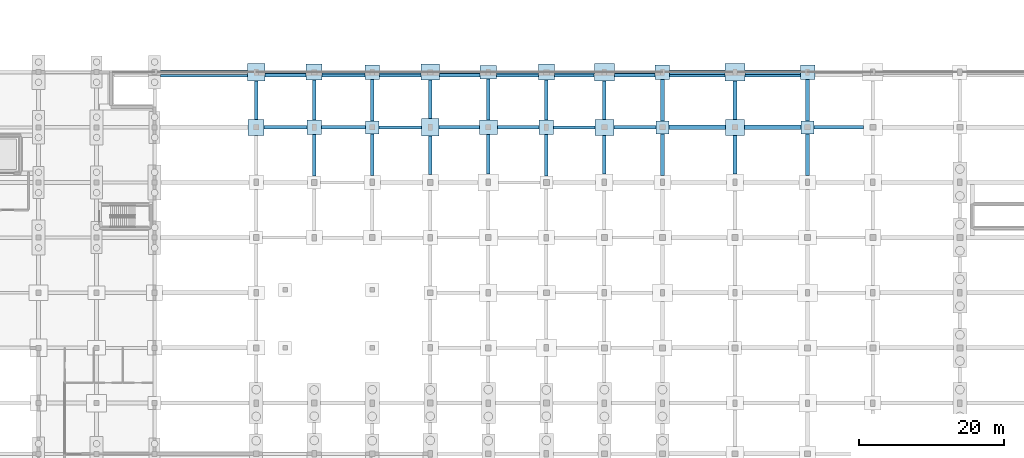
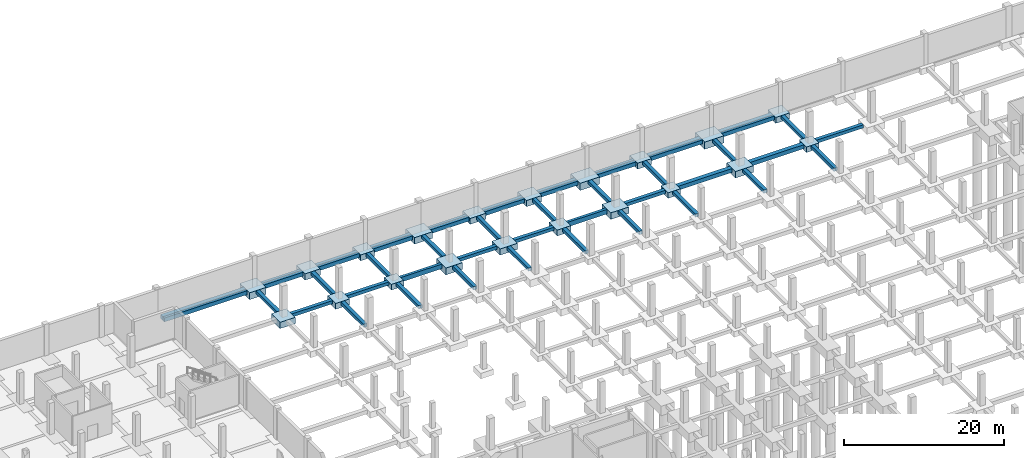
# One storey, part 26 of 50: 69 footings.
"""IFC4 building model written with IfcOpenShell, lengths in metres."""

from ifc_helpers import new_model, si_unit, direction, frame, origin, origin_2d, place, context, subcontext, project, spatial, polyline, rectangle, outline, extrude, material, material_profile, profile_set, type_object, element, save


model = new_model("IFC4")

# Units and contexts
model_context = context("Model", 3, precision=1e-05, world=origin(), true_north=direction((0.0, 1.0)))
body_context = subcontext(model_context, "Body", "Model", "MODEL_VIEW")
ifc_project = project(units=[si_unit("LENGTHUNIT", "METRE"), si_unit("AREAUNIT", "SQUARE_METRE"), si_unit("VOLUMEUNIT", "CUBIC_METRE"), si_unit("PLANEANGLEUNIT", "RADIAN"), si_unit("MASSUNIT", "GRAM", prefix="KILO")], contexts=[model_context])

# Site, building, storey
site_placement = place(None, origin())
site = spatial("IfcSite", under=ifc_project, at=site_placement, CompositionType="ELEMENT")
building_placement = place(site_placement, origin())
building = spatial("IfcBuilding", under=site, at=building_placement, Name="Vekula Escarpment Museum", CompositionType="ELEMENT")
storey_placement = place(building_placement, frame((0.0, 0.0, -4.800048828125)))
storey = spatial("IfcBuildingStorey", under=building, at=storey_placement, Name="B1", CompositionType="ELEMENT", Elevation=-4.800048828125)

# Footings
ifc_material_1 = material(Name="Concrete C35/45", Category="concrete")
footing_type_1 = type_object("IfcFootingType", Name="FB-STRIP-600", PredefinedType="STRIP_FOOTING", material=ifc_material_1)
footing_1_placement = place(storey_placement, frame((0.0, 0.0, -0.599853515625)))
element("IfcFooting", 1, at=footing_1_placement, inside=storey, type_object=footing_type_1, Name="Plinth Wall Strip Footing 0108", PredefinedType="STRIP_FOOTING", context=body_context, shape_type="SweptSolid", body=[
    extrude(outline(polyline([(137.404052734375, 135.35498046875), (137.404052734375, 135.696044921875), (144.99609375, 135.696044921875), (144.99609375, 135.35498046875), (137.404052734375, 135.35498046875)])), origin(), (0.0, 0.0, 1.0), 0.599853515625),
])
footing_2_placement = place(storey_placement, frame((0.0, 0.0, -0.599853515625)))
element("IfcFooting", 2, at=footing_2_placement, inside=storey, type_object=footing_type_1, Name="Plinth Wall Strip Footing 0109", PredefinedType="STRIP_FOOTING", context=body_context, shape_type="SweptSolid", body=[
    extrude(outline(polyline([(127.00390625, 135.35498046875), (127.00390625, 135.696044921875), (134.595947265625, 135.696044921875), (134.595947265625, 135.35498046875), (127.00390625, 135.35498046875)])), origin(), (0.0, 0.0, 1.0), 0.599853515625),
])
footing_3_placement = place(storey_placement, frame((0.0, 0.0, -0.599853515625)))
element("IfcFooting", 3, at=footing_3_placement, inside=storey, type_object=footing_type_1, Name="Plinth Wall Strip Footing 0110", PredefinedType="STRIP_FOOTING", context=body_context, shape_type="SweptSolid", body=[
    extrude(outline(polyline([(119.404052734375, 135.35498046875), (119.404052734375, 135.7958984375), (124.99609375, 135.7958984375), (124.99609375, 135.35498046875), (119.404052734375, 135.35498046875)])), origin(), (0.0, 0.0, 1.0), 0.599853515625),
])
footing_4_placement = place(storey_placement, frame((0.0, 0.0, -0.599853515625)))
element("IfcFooting", 4, at=footing_4_placement, inside=storey, type_object=footing_type_1, Name="Plinth Wall Strip Footing 0111", PredefinedType="STRIP_FOOTING", context=body_context, shape_type="SweptSolid", body=[
    extrude(outline(polyline([(111.10400390625, 135.35498046875), (111.10400390625, 135.74609375), (116.595947265625, 135.74609375), (116.595947265625, 135.35498046875), (111.10400390625, 135.35498046875)])), origin(), (0.0, 0.0, 1.0), 0.599853515625),
])
footing_5_placement = place(storey_placement, frame((0.0, 0.0, -0.599853515625)))
element("IfcFooting", 5, at=footing_5_placement, inside=storey, type_object=footing_type_1, Name="Plinth Wall Strip Footing 0112", PredefinedType="STRIP_FOOTING", context=body_context, shape_type="SweptSolid", body=[
    extrude(outline(polyline([(103.154052734375, 135.35498046875), (103.154052734375, 135.74609375), (108.89599609375, 135.74609375), (108.89599609375, 135.35498046875), (103.154052734375, 135.35498046875)])), origin(), (0.0, 0.0, 1.0), 0.599853515625),
])
footing_6_placement = place(storey_placement, frame((0.0, 0.0, -0.599853515625)))
element("IfcFooting", 6, at=footing_6_placement, inside=storey, type_object=footing_type_1, Name="Plinth Wall Strip Footing 0113", PredefinedType="STRIP_FOOTING", context=body_context, shape_type="SweptSolid", body=[
    extrude(outline(polyline([(95.303955078125, 135.35498046875), (95.303955078125, 135.7958984375), (100.845947265625, 135.7958984375), (100.845947265625, 135.35498046875), (95.303955078125, 135.35498046875)])), origin(), (0.0, 0.0, 1.0), 0.599853515625),
])
footing_7_placement = place(storey_placement, frame((0.0, 0.0, -0.599853515625)))
element("IfcFooting", 7, at=footing_7_placement, inside=storey, type_object=footing_type_1, Name="Plinth Wall Strip Footing 0114", PredefinedType="STRIP_FOOTING", context=body_context, shape_type="SweptSolid", body=[
    extrude(outline(polyline([(87.00390625, 135.35498046875), (87.00390625, 135.74609375), (92.696044921875, 135.74609375), (92.696044921875, 135.35498046875), (87.00390625, 135.35498046875)])), origin(), (0.0, 0.0, 1.0), 0.599853515625),
])
footing_8_placement = place(storey_placement, frame((0.0, 0.0, -0.599853515625)))
element("IfcFooting", 8, at=footing_8_placement, inside=storey, type_object=footing_type_1, Name="Plinth Wall Strip Footing 0115", PredefinedType="STRIP_FOOTING", context=body_context, shape_type="SweptSolid", body=[
    extrude(outline(polyline([(79.10400390625, 135.35498046875), (79.10400390625, 135.74609375), (84.99609375, 135.74609375), (84.99609375, 135.35498046875), (79.10400390625, 135.35498046875)])), origin(), (0.0, 0.0, 1.0), 0.599853515625),
])
footing_9_placement = place(storey_placement, frame((0.0, 0.0, -0.599853515625)))
element("IfcFooting", 9, at=footing_9_placement, inside=storey, type_object=footing_type_1, Name="Plinth Wall Strip Footing 0116", PredefinedType="STRIP_FOOTING", context=body_context, shape_type="SweptSolid", body=[
    extrude(outline(polyline([(71.2041015625, 135.35498046875), (71.2041015625, 135.7958984375), (76.89599609375, 135.7958984375), (76.89599609375, 135.35498046875), (71.2041015625, 135.35498046875)])), origin(), (0.0, 0.0, 1.0), 0.599853515625),
])
footing_10_placement = place(storey_placement, frame((0.0, 0.0, -0.599853515625)))
element("IfcFooting", 10, at=footing_10_placement, inside=storey, type_object=footing_type_1, Name="Plinth Wall Strip Footing 0117", PredefinedType="STRIP_FOOTING", context=body_context, shape_type="SweptSolid", body=[
    extrude(outline(polyline([(56.8291015625, 135.35498046875), (56.8291015625, 135.696044921875), (68.7958984375, 135.696044921875), (68.7958984375, 135.35498046875), (56.8291015625, 135.35498046875)])), origin(), (0.0, 0.0, 1.0), 0.599853515625),
])
ifc_material_2 = material(Name="Concrete C35/45", Category="concrete")
ifc_material_profile_1 = material_profile(ifc_material_2, rectangle(XDim=0.39990234375, YDim=0.699951171875, at=origin_2d()), Name="RC 400x700")
ifc_profile_set_1 = profile_set([ifc_material_profile_1], Name="Concrete C35/45")
footing_type_2 = type_object("IfcFootingType", Name="FB-TIE-400x700", PredefinedType="FOOTING_BEAM", material=ifc_profile_set_1)
footing_11_placement = place(storey_placement, frame((86.89990234375, 128.39990234375, -0.349853515625), z_axis=(1.0, 0.0, 0.0), x_axis=(0.0, 1.0, 0.0)))
element("IfcFooting", 11, at=footing_11_placement, inside=storey, type_object=footing_type_2, Name="Foundation Tie Beam 369", PredefinedType="FOOTING_BEAM", context=body_context, shape_type="SweptSolid", body=[
    extrude(rectangle(XDim=0.39990234375, YDim=0.699951171875, at=origin_2d()), origin(), (0.0, 0.0, 1.0), 5.900146484375),
])
for number, where, z_axis, x_axis, name in (
    (12, (111.0, 128.39990234375, -0.349853515625), (1.0, 0.0, 0.0), (0.0, 1.0, 0.0), "Foundation Tie Beam 372"),
    (13, (71.199951171875, 136.0, -0.349853515625), (1.0, 0.0, 0.0), (0.0, 1.0, 0.0), "Foundation Tie Beam 390"),
):
    element("IfcFooting", number, at=place(storey_placement, frame(where, z_axis=z_axis, x_axis=x_axis)), inside=storey, type_object=footing_type_2, Name=name, PredefinedType="FOOTING_BEAM", context=body_context, shape_type="SweptSolid", body=[
        extrude(rectangle(XDim=0.39990234375, YDim=0.699951171875, at=origin_2d()), origin(), (0.0, 0.0, 1.0), 5.699951171875),
    ])
footing_12_placement = place(storey_placement, frame((95.300048828125, 136.0, -0.349853515625), z_axis=(1.0, 0.0, 0.0), x_axis=(0.0, 1.0, 0.0)))
element("IfcFooting", 14, at=footing_12_placement, inside=storey, type_object=footing_type_2, Name="Foundation Tie Beam 393", PredefinedType="FOOTING_BEAM", context=body_context, shape_type="SweptSolid", body=[
    extrude(rectangle(XDim=0.39990234375, YDim=0.699951171875, at=origin_2d()), origin(), (0.0, 0.0, 1.0), 5.550048828125),
])
footing_13_placement = place(storey_placement, frame((119.39990234375, 136.0, -0.349853515625), z_axis=(1.0, 0.0, 0.0), x_axis=(0.0, 1.0, 0.0)))
element("IfcFooting", 15, at=footing_13_placement, inside=storey, type_object=footing_type_2, Name="Foundation Tie Beam 396", PredefinedType="FOOTING_BEAM", context=body_context, shape_type="SweptSolid", body=[
    extrude(rectangle(XDim=0.39990234375, YDim=0.699951171875, at=origin_2d()), origin(), (0.0, 0.0, 1.0), 5.60009765625),
])
ifc_material_3 = material(Name="Concrete C35/45", Category="concrete")
ifc_material_profile_2 = material_profile(ifc_material_3, rectangle(XDim=0.5, YDim=0.5, at=origin_2d()), Name="RC 500x500")
ifc_profile_set_2 = profile_set([ifc_material_profile_2], Name="Concrete C35/45")
footing_type_3 = type_object("IfcFootingType", Name="FB-TIE-500x500", PredefinedType="FOOTING_BEAM", material=ifc_profile_set_2)
footing_14_placement = place(storey_placement, frame((71.10009765625, 128.39990234375, -0.25), z_axis=(1.0, 0.0, 0.0), x_axis=(0.0, 1.0, 0.0)))
element("IfcFooting", 16, at=footing_14_placement, inside=storey, type_object=footing_type_3, Name="Foundation Tie Beam 367", PredefinedType="FOOTING_BEAM", context=body_context, shape_type="SweptSolid", body=[
    extrude(rectangle(XDim=0.5, YDim=0.5, at=origin_2d()), origin(), (0.0, 0.0, 1.0), 5.89990234375),
])
footing_15_placement = place(storey_placement, frame((79.0, 128.39990234375, -0.25), z_axis=(1.0, 0.0, 0.0), x_axis=(0.0, 1.0, 0.0)))
element("IfcFooting", 17, at=footing_15_placement, inside=storey, type_object=footing_type_3, Name="Foundation Tie Beam 368", PredefinedType="FOOTING_BEAM", context=body_context, shape_type="SweptSolid", body=[
    extrude(rectangle(XDim=0.5, YDim=0.5, at=origin_2d()), origin(), (0.0, 0.0, 1.0), 6.10009765625),
])
footing_16_placement = place(storey_placement, frame((95.199951171875, 128.39990234375, -0.25), z_axis=(1.0, 0.0, 0.0), x_axis=(0.0, 1.0, 0.0)))
element("IfcFooting", 18, at=footing_16_placement, inside=storey, type_object=footing_type_3, Name="Foundation Tie Beam 370", PredefinedType="FOOTING_BEAM", context=body_context, shape_type="SweptSolid", body=[
    extrude(rectangle(XDim=0.5, YDim=0.5, at=origin_2d()), origin(), (0.0, 0.0, 1.0), 5.550048828125),
])
footing_17_placement = place(storey_placement, frame((103.25, 128.39990234375, -0.25), z_axis=(1.0, 0.0, 0.0), x_axis=(0.0, 1.0, 0.0)))
element("IfcFooting", 19, at=footing_17_placement, inside=storey, type_object=footing_type_3, Name="Foundation Tie Beam 371", PredefinedType="FOOTING_BEAM", context=body_context, shape_type="SweptSolid", body=[
    extrude(rectangle(XDim=0.5, YDim=0.5, at=origin_2d()), origin(), (0.0, 0.0, 1.0), 5.75),
])
footing_18_placement = place(storey_placement, frame((119.300048828125, 128.39990234375, -0.25), z_axis=(1.0, 0.0, 0.0), x_axis=(0.0, 1.0, 0.0)))
element("IfcFooting", 20, at=footing_18_placement, inside=storey, type_object=footing_type_3, Name="Foundation Tie Beam 373", PredefinedType="FOOTING_BEAM", context=body_context, shape_type="SweptSolid", body=[
    extrude(rectangle(XDim=0.5, YDim=0.5, at=origin_2d()), origin(), (0.0, 0.0, 1.0), 5.800048828125),
])
footing_19_placement = place(storey_placement, frame((146.89990234375, 128.39990234375, -0.25), z_axis=(1.0, 0.0, 0.0), x_axis=(0.0, 1.0, 0.0)))
element("IfcFooting", 21, at=footing_19_placement, inside=storey, type_object=footing_type_3, Name="Foundation Tie Beam 376", PredefinedType="FOOTING_BEAM", context=body_context, shape_type="SweptSolid", body=[
    extrude(rectangle(XDim=0.5, YDim=0.5, at=origin_2d()), origin(), (0.0, 0.0, 1.0), 6.800048828125),
])
footing_20_placement = place(storey_placement, frame((79.10009765625, 136.0, -0.25), z_axis=(1.0, 0.0, 0.0), x_axis=(0.0, 1.0, 0.0)))
element("IfcFooting", 22, at=footing_20_placement, inside=storey, type_object=footing_type_3, Name="Foundation Tie Beam 391", PredefinedType="FOOTING_BEAM", context=body_context, shape_type="SweptSolid", body=[
    extrude(rectangle(XDim=0.5, YDim=0.5, at=origin_2d()), origin(), (0.0, 0.0, 1.0), 5.89990234375),
])
footing_21_placement = place(storey_placement, frame((87.0, 136.0, -0.25), z_axis=(1.0, 0.0, 0.0), x_axis=(0.0, 1.0, 0.0)))
element("IfcFooting", 23, at=footing_21_placement, inside=storey, type_object=footing_type_3, Name="Foundation Tie Beam 392", PredefinedType="FOOTING_BEAM", context=body_context, shape_type="SweptSolid", body=[
    extrude(rectangle(XDim=0.5, YDim=0.5, at=origin_2d()), origin(), (0.0, 0.0, 1.0), 5.699951171875),
])
footing_22_placement = place(storey_placement, frame((103.14990234375, 136.0, -0.25), z_axis=(1.0, 0.0, 0.0), x_axis=(0.0, 1.0, 0.0)))
element("IfcFooting", 24, at=footing_22_placement, inside=storey, type_object=footing_type_3, Name="Foundation Tie Beam 394", PredefinedType="FOOTING_BEAM", context=body_context, shape_type="SweptSolid", body=[
    extrude(rectangle(XDim=0.5, YDim=0.5, at=origin_2d()), origin(), (0.0, 0.0, 1.0), 5.75),
])
footing_23_placement = place(storey_placement, frame((111.10009765625, 136.0, -0.25), z_axis=(1.0, 0.0, 0.0), x_axis=(0.0, 1.0, 0.0)))
element("IfcFooting", 25, at=footing_23_placement, inside=storey, type_object=footing_type_3, Name="Foundation Tie Beam 395", PredefinedType="FOOTING_BEAM", context=body_context, shape_type="SweptSolid", body=[
    extrude(rectangle(XDim=0.5, YDim=0.5, at=origin_2d()), origin(), (0.0, 0.0, 1.0), 5.5),
])
footing_24_placement = place(storey_placement, frame((70.0, 129.5, -0.25), z_axis=(0.0, 1.0, 0.0), x_axis=(-1.0, 0.0, 0.0)))
element("IfcFooting", 26, at=footing_24_placement, inside=storey, type_object=footing_type_3, Name="Foundation Tie Beam 567", PredefinedType="FOOTING_BEAM", context=body_context, shape_type="SweptSolid", body=[
    extrude(rectangle(XDim=0.5, YDim=0.5, at=origin_2d()), origin(), (0.0, 0.0, 1.0), 5.300048828125),
])
footing_25_placement = place(storey_placement, frame((78.0, 121.699951171875, -0.25), z_axis=(0.0, 1.0, 0.0), x_axis=(-1.0, 0.0, 0.0)))
element("IfcFooting", 27, at=footing_25_placement, inside=storey, type_object=footing_type_3, Name="Foundation Tie Beam 578", PredefinedType="FOOTING_BEAM", context=body_context, shape_type="SweptSolid", body=[
    extrude(rectangle(XDim=0.5, YDim=0.5, at=origin_2d()), origin(), (0.0, 0.0, 1.0), 5.699951171875),
])
footing_26_placement = place(storey_placement, frame((78.0, 129.39990234375, -0.25), z_axis=(0.0, 1.0, 0.0), x_axis=(-1.0, 0.0, 0.0)))
element("IfcFooting", 28, at=footing_26_placement, inside=storey, type_object=footing_type_3, Name="Foundation Tie Beam 579", PredefinedType="FOOTING_BEAM", context=body_context, shape_type="SweptSolid", body=[
    extrude(rectangle(XDim=0.5, YDim=0.5, at=origin_2d()), origin(), (0.0, 0.0, 1.0), 5.5),
])
footing_27_placement = place(storey_placement, frame((86.0, 121.75, -0.25), z_axis=(0.0, 1.0, 0.0), x_axis=(-1.0, 0.0, 0.0)))
element("IfcFooting", 29, at=footing_27_placement, inside=storey, type_object=footing_type_3, Name="Foundation Tie Beam 590", PredefinedType="FOOTING_BEAM", context=body_context, shape_type="SweptSolid", body=[
    extrude(rectangle(XDim=0.5, YDim=0.5, at=origin_2d()), origin(), (0.0, 0.0, 1.0), 5.75),
])
footing_28_placement = place(storey_placement, frame((86.0, 129.300048828125, -0.25), z_axis=(0.0, 1.0, 0.0), x_axis=(-1.0, 0.0, 0.0)))
element("IfcFooting", 30, at=footing_28_placement, inside=storey, type_object=footing_type_3, Name="Foundation Tie Beam 591", PredefinedType="FOOTING_BEAM", context=body_context, shape_type="SweptSolid", body=[
    extrude(rectangle(XDim=0.5, YDim=0.5, at=origin_2d()), origin(), (0.0, 0.0, 1.0), 5.699951171875),
])
footing_29_placement = place(storey_placement, frame((94.0, 121.89990234375, -0.25), z_axis=(0.0, 1.0, 0.0), x_axis=(-1.0, 0.0, 0.0)))
element("IfcFooting", 31, at=footing_29_placement, inside=storey, type_object=footing_type_3, Name="Foundation Tie Beam 608", PredefinedType="FOOTING_BEAM", context=body_context, shape_type="SweptSolid", body=[
    extrude(rectangle(XDim=0.5, YDim=0.5, at=origin_2d()), origin(), (0.0, 0.0, 1.0), 5.300048828125),
])
footing_30_placement = place(storey_placement, frame((94.0, 129.60009765625, -0.25), z_axis=(0.0, 1.0, 0.0), x_axis=(-1.0, 0.0, 0.0)))
element("IfcFooting", 32, at=footing_30_placement, inside=storey, type_object=footing_type_3, Name="Foundation Tie Beam 609", PredefinedType="FOOTING_BEAM", context=body_context, shape_type="SweptSolid", body=[
    extrude(rectangle(XDim=0.5, YDim=0.5, at=origin_2d()), origin(), (0.0, 0.0, 1.0), 5.2998046875),
])
footing_31_placement = place(storey_placement, frame((102.0, 122.0, -0.25), z_axis=(0.0, 1.0, 0.0), x_axis=(-1.0, 0.0, 0.0)))
element("IfcFooting", 33, at=footing_31_placement, inside=storey, type_object=footing_type_3, Name="Foundation Tie Beam 626", PredefinedType="FOOTING_BEAM", context=body_context, shape_type="SweptSolid", body=[
    extrude(rectangle(XDim=0.5, YDim=0.5, at=origin_2d()), origin(), (0.0, 0.0, 1.0), 5.39990234375),
])
footing_32_placement = place(storey_placement, frame((102.0, 129.39990234375, -0.25), z_axis=(0.0, 1.0, 0.0), x_axis=(-1.0, 0.0, 0.0)))
element("IfcFooting", 34, at=footing_32_placement, inside=storey, type_object=footing_type_3, Name="Foundation Tie Beam 627", PredefinedType="FOOTING_BEAM", context=body_context, shape_type="SweptSolid", body=[
    extrude(rectangle(XDim=0.5, YDim=0.5, at=origin_2d()), origin(), (0.0, 0.0, 1.0), 5.650146484375),
])
footing_33_placement = place(storey_placement, frame((110.0, 121.699951171875, -0.25), z_axis=(0.0, 1.0, 0.0), x_axis=(-1.0, 0.0, 0.0)))
element("IfcFooting", 35, at=footing_33_placement, inside=storey, type_object=footing_type_3, Name="Foundation Tie Beam 644", PredefinedType="FOOTING_BEAM", context=body_context, shape_type="SweptSolid", body=[
    extrude(rectangle(XDim=0.5, YDim=0.5, at=origin_2d()), origin(), (0.0, 0.0, 1.0), 5.699951171875),
])
footing_34_placement = place(storey_placement, frame((110.0, 129.39990234375, -0.25), z_axis=(0.0, 1.0, 0.0), x_axis=(-1.0, 0.0, 0.0)))
element("IfcFooting", 36, at=footing_34_placement, inside=storey, type_object=footing_type_3, Name="Foundation Tie Beam 645", PredefinedType="FOOTING_BEAM", context=body_context, shape_type="SweptSolid", body=[
    extrude(rectangle(XDim=0.5, YDim=0.5, at=origin_2d()), origin(), (0.0, 0.0, 1.0), 5.5),
])
for number, where, z_axis, x_axis, name in (
    (37, (118.0, 122.0, -0.25), (0.0, 1.0, 0.0), (-1.0, 0.0, 0.0), "Foundation Tie Beam 662"),
    (38, (118.0, 129.5, -0.25), (0.0, 1.0, 0.0), (-1.0, 0.0, 0.0), "Foundation Tie Beam 663"),
):
    element("IfcFooting", number, at=place(storey_placement, frame(where, z_axis=z_axis, x_axis=x_axis)), inside=storey, type_object=footing_type_3, Name=name, PredefinedType="FOOTING_BEAM", context=body_context, shape_type="SweptSolid", body=[
        extrude(rectangle(XDim=0.5, YDim=0.5, at=origin_2d()), origin(), (0.0, 0.0, 1.0), 5.300048828125),
    ])
footing_35_placement = place(storey_placement, frame((126.0, 121.75, -0.25), z_axis=(0.0, 1.0, 0.0), x_axis=(-1.0, 0.0, 0.0)))
element("IfcFooting", 39, at=footing_35_placement, inside=storey, type_object=footing_type_3, Name="Foundation Tie Beam 680", PredefinedType="FOOTING_BEAM", context=body_context, shape_type="SweptSolid", body=[
    extrude(rectangle(XDim=0.5, YDim=0.5, at=origin_2d()), origin(), (0.0, 0.0, 1.0), 5.75),
])
footing_36_placement = place(storey_placement, frame((126.0, 129.300048828125, -0.25), z_axis=(0.0, 1.0, 0.0), x_axis=(-1.0, 0.0, 0.0)))
element("IfcFooting", 40, at=footing_36_placement, inside=storey, type_object=footing_type_3, Name="Foundation Tie Beam 681", PredefinedType="FOOTING_BEAM", context=body_context, shape_type="SweptSolid", body=[
    extrude(rectangle(XDim=0.5, YDim=0.5, at=origin_2d()), origin(), (0.0, 0.0, 1.0), 5.699951171875),
])
for number, where, z_axis, x_axis, name in (
    (41, (136.0, 122.0, -0.25), (0.0, 1.0, 0.0), (-1.0, 0.0, 0.0), "Foundation Tie Beam 699"),
    (42, (136.0, 129.5, -0.25), (0.0, 1.0, 0.0), (-1.0, 0.0, 0.0), "Foundation Tie Beam 700"),
):
    element("IfcFooting", number, at=place(storey_placement, frame(where, z_axis=z_axis, x_axis=x_axis)), inside=storey, type_object=footing_type_3, Name=name, PredefinedType="FOOTING_BEAM", context=body_context, shape_type="SweptSolid", body=[
        extrude(rectangle(XDim=0.5, YDim=0.5, at=origin_2d()), origin(), (0.0, 0.0, 1.0), 5.300048828125),
    ])
footing_37_placement = place(storey_placement, frame((146.0, 121.75, -0.25), z_axis=(0.0, 1.0, 0.0), x_axis=(-1.0, 0.0, 0.0)))
element("IfcFooting", 43, at=footing_37_placement, inside=storey, type_object=footing_type_3, Name="Foundation Tie Beam 718", PredefinedType="FOOTING_BEAM", context=body_context, shape_type="SweptSolid", body=[
    extrude(rectangle(XDim=0.5, YDim=0.5, at=origin_2d()), origin(), (0.0, 0.0, 1.0), 5.75),
])
footing_38_placement = place(storey_placement, frame((146.0, 129.300048828125, -0.25), z_axis=(0.0, 1.0, 0.0), x_axis=(-1.0, 0.0, 0.0)))
element("IfcFooting", 44, at=footing_38_placement, inside=storey, type_object=footing_type_3, Name="Foundation Tie Beam 719", PredefinedType="FOOTING_BEAM", context=body_context, shape_type="SweptSolid", body=[
    extrude(rectangle(XDim=0.5, YDim=0.5, at=origin_2d()), origin(), (0.0, 0.0, 1.0), 5.699951171875),
])
ifc_material_4 = material(Name="Concrete C35/45", Category="concrete")
ifc_material_profile_3 = material_profile(ifc_material_4, rectangle(XDim=0.60009765625, YDim=0.60009765625, at=origin_2d()), Name="RC 600x600")
ifc_profile_set_3 = profile_set([ifc_material_profile_3], Name="Concrete C35/45")
footing_type_4 = type_object("IfcFootingType", Name="FB-TIE-600x600", PredefinedType="FOOTING_BEAM", material=ifc_profile_set_3)
for number, where, z_axis, x_axis, name in (
    (45, (126.89990234375, 128.39990234375, -0.300048828125), (1.0, 0.0, 0.0), (0.0, 1.0, 0.0), "Foundation Tie Beam 374"),
    (46, (137.300048828125, 128.39990234375, -0.300048828125), (1.0, 0.0, 0.0), (0.0, 1.0, 0.0), "Foundation Tie Beam 375"),
):
    element("IfcFooting", number, at=place(storey_placement, frame(where, z_axis=z_axis, x_axis=x_axis)), inside=storey, type_object=footing_type_4, Name=name, PredefinedType="FOOTING_BEAM", context=body_context, shape_type="SweptSolid", body=[
        extrude(rectangle(XDim=0.60009765625, YDim=0.60009765625, at=origin_2d()), origin(), (0.0, 0.0, 1.0), 7.800048828125),
    ])
footing_39_placement = place(storey_placement, frame((56.824951171875, 136.0, -0.300048828125), z_axis=(1.0, 0.0, 0.0), x_axis=(0.0, 1.0, 0.0)))
element("IfcFooting", 47, at=footing_39_placement, inside=storey, type_object=footing_type_4, Name="Foundation Tie Beam 389", PredefinedType="FOOTING_BEAM", context=body_context, shape_type="SweptSolid", body=[
    extrude(rectangle(XDim=0.60009765625, YDim=0.60009765625, at=origin_2d()), origin(), (0.0, 0.0, 1.0), 11.97509765625),
])
for number, where, z_axis, x_axis, name in (
    (48, (127.0, 136.0, -0.300048828125), (1.0, 0.0, 0.0), (0.0, 1.0, 0.0), "Foundation Tie Beam 397"),
    (49, (137.39990234375, 136.0, -0.300048828125), (1.0, 0.0, 0.0), (0.0, 1.0, 0.0), "Foundation Tie Beam 398"),
):
    element("IfcFooting", number, at=place(storey_placement, frame(where, z_axis=z_axis, x_axis=x_axis)), inside=storey, type_object=footing_type_4, Name=name, PredefinedType="FOOTING_BEAM", context=body_context, shape_type="SweptSolid", body=[
        extrude(rectangle(XDim=0.60009765625, YDim=0.60009765625, at=origin_2d()), origin(), (0.0, 0.0, 1.0), 7.60009765625),
    ])
ifc_material_5 = material(Name="Concrete C35/45", Category="concrete")
footing_type_5 = type_object("IfcFootingType", Name="FC-PAD1", PredefinedType="PAD_FOOTING", material=ifc_material_5)
footing_40_placement = place(storey_placement, frame((0.0, 0.0, -0.849853515625)))
element("IfcFooting", 50, at=footing_40_placement, inside=storey, type_object=footing_type_5, Name="Foundation FC-PAD1 (86.0,128.4)", PredefinedType="PAD_FOOTING", context=body_context, shape_type="SweptSolid", body=[
    extrude(outline(polyline([(85.10009765625, 127.5), (86.89990234375, 127.5), (86.89990234375, 129.300048828125), (85.10009765625, 129.300048828125), (85.10009765625, 127.5)])), origin(), (0.0, 0.0, 1.0), 0.849853515625),
])
footing_41_placement = place(storey_placement, frame((0.0, 0.0, -0.849853515625)))
element("IfcFooting", 51, at=footing_41_placement, inside=storey, type_object=footing_type_5, Name="Foundation FC-PAD1 (126.0,128.4)", PredefinedType="PAD_FOOTING", context=body_context, shape_type="SweptSolid", body=[
    extrude(outline(polyline([(125.10009765625, 127.5), (126.89990234375, 127.5), (126.89990234375, 129.300048828125), (125.10009765625, 129.300048828125), (125.10009765625, 127.5)])), origin(), (0.0, 0.0, 1.0), 0.849853515625),
])
footing_42_placement = place(storey_placement, frame((0.0, 0.0, -0.849853515625)))
element("IfcFooting", 52, at=footing_42_placement, inside=storey, type_object=footing_type_5, Name="Foundation FC-PAD1 (146.0,128.4)", PredefinedType="PAD_FOOTING", context=body_context, shape_type="SweptSolid", body=[
    extrude(outline(polyline([(145.10009765625, 127.5), (146.89990234375, 127.5), (146.89990234375, 129.300048828125), (145.10009765625, 129.300048828125), (145.10009765625, 127.5)])), origin(), (0.0, 0.0, 1.0), 0.849853515625),
])
ifc_material_6 = material(Name="Concrete C35/45", Category="concrete")
footing_type_6 = type_object("IfcFootingType", Name="FC-PAD2", PredefinedType="PAD_FOOTING", material=ifc_material_6)
footing_43_placement = place(storey_placement, frame((0.0, 0.0, -0.89990234375)))
element("IfcFooting", 53, at=footing_43_placement, inside=storey, type_object=footing_type_6, Name="Foundation FC-PAD2 (78.0,128.4)", PredefinedType="PAD_FOOTING", context=body_context, shape_type="SweptSolid", body=[
    extrude(outline(polyline([(77.0, 127.39990234375), (79.0, 127.39990234375), (79.0, 129.39990234375), (77.0, 129.39990234375), (77.0, 127.39990234375)])), origin(), (0.0, 0.0, 1.0), 0.89990234375),
])
footing_44_placement = place(storey_placement, frame((0.0, 0.0, -0.89990234375)))
element("IfcFooting", 54, at=footing_44_placement, inside=storey, type_object=footing_type_6, Name="Foundation FC-PAD2 (86.0,136.0)", PredefinedType="PAD_FOOTING", context=body_context, shape_type="SweptSolid", body=[
    extrude(outline(polyline([(85.0, 135.0), (87.0, 135.0), (87.0, 137.0), (85.0, 137.0), (85.0, 135.0)])), origin(), (0.0, 0.0, 1.0), 0.89990234375),
])
footing_45_placement = place(storey_placement, frame((0.0, 0.0, -0.89990234375)))
element("IfcFooting", 55, at=footing_45_placement, inside=storey, type_object=footing_type_6, Name="Foundation FC-PAD2 (110.0,128.4)", PredefinedType="PAD_FOOTING", context=body_context, shape_type="SweptSolid", body=[
    extrude(outline(polyline([(109.0, 127.39990234375), (111.0, 127.39990234375), (111.0, 129.39990234375), (109.0, 129.39990234375), (109.0, 127.39990234375)])), origin(), (0.0, 0.0, 1.0), 0.89990234375),
])
footing_46_placement = place(storey_placement, frame((0.0, 0.0, -0.89990234375)))
element("IfcFooting", 56, at=footing_46_placement, inside=storey, type_object=footing_type_6, Name="Foundation FC-PAD2 (126.0,136.0)", PredefinedType="PAD_FOOTING", context=body_context, shape_type="SweptSolid", body=[
    extrude(outline(polyline([(125.0, 135.0), (127.0, 135.0), (127.0, 137.0), (125.0, 137.0), (125.0, 135.0)])), origin(), (0.0, 0.0, 1.0), 0.89990234375),
])
footing_47_placement = place(storey_placement, frame((0.0, 0.0, -0.89990234375)))
element("IfcFooting", 57, at=footing_47_placement, inside=storey, type_object=footing_type_6, Name="Foundation FC-PAD2 (146.0,136.0)", PredefinedType="PAD_FOOTING", context=body_context, shape_type="SweptSolid", body=[
    extrude(outline(polyline([(145.0, 135.0), (147.0, 135.0), (147.0, 137.0), (145.0, 137.0), (145.0, 135.0)])), origin(), (0.0, 0.0, 1.0), 0.89990234375),
])
ifc_material_7 = material(Name="Concrete C35/45", Category="concrete")
footing_type_7 = type_object("IfcFootingType", Name="FC-PAD3", PredefinedType="PAD_FOOTING", material=ifc_material_7)
footing_48_placement = place(storey_placement, frame((0.0, 0.0, -0.949951171875)))
element("IfcFooting", 58, at=footing_48_placement, inside=storey, type_object=footing_type_7, Name="Foundation FC-PAD3 (70.0,128.4)", PredefinedType="PAD_FOOTING", context=body_context, shape_type="SweptSolid", body=[
    extrude(outline(polyline([(68.89990234375, 127.300048828125), (71.10009765625, 127.300048828125), (71.10009765625, 129.5), (68.89990234375, 129.5), (68.89990234375, 127.300048828125)])), origin(), (0.0, 0.0, 1.0), 0.949951171875),
])
footing_49_placement = place(storey_placement, frame((0.0, 0.0, -0.949951171875)))
element("IfcFooting", 59, at=footing_49_placement, inside=storey, type_object=footing_type_7, Name="Foundation FC-PAD3 (78.0,136.0)", PredefinedType="PAD_FOOTING", context=body_context, shape_type="SweptSolid", body=[
    extrude(outline(polyline([(76.89990234375, 134.89990234375), (79.10009765625, 134.89990234375), (79.10009765625, 137.10009765625), (76.89990234375, 137.10009765625), (76.89990234375, 134.89990234375)])), origin(), (0.0, 0.0, 1.0), 0.949951171875),
])
footing_50_placement = place(storey_placement, frame((0.0, 0.0, -0.949951171875)))
element("IfcFooting", 60, at=footing_50_placement, inside=storey, type_object=footing_type_7, Name="Foundation FC-PAD3 (110.0,136.0)", PredefinedType="PAD_FOOTING", context=body_context, shape_type="SweptSolid", body=[
    extrude(outline(polyline([(108.89990234375, 134.89990234375), (111.10009765625, 134.89990234375), (111.10009765625, 137.10009765625), (108.89990234375, 137.10009765625), (108.89990234375, 134.89990234375)])), origin(), (0.0, 0.0, 1.0), 0.949951171875),
])
ifc_material_8 = material(Name="Concrete C35/45", Category="concrete")
footing_type_8 = type_object("IfcFootingType", Name="FC-PAD4", PredefinedType="PAD_FOOTING", material=ifc_material_8)
footing_51_placement = place(storey_placement, frame((0.0, 0.0, -1.050048828125)))
element("IfcFooting", 61, at=footing_51_placement, inside=storey, type_object=footing_type_8, Name="Foundation FC-PAD4 (70.0,136.0)", PredefinedType="PAD_FOOTING", context=body_context, shape_type="SweptSolid", body=[
    extrude(outline(polyline([(68.800048828125, 134.800048828125), (71.199951171875, 134.800048828125), (71.199951171875, 137.199951171875), (68.800048828125, 137.199951171875), (68.800048828125, 134.800048828125)])), origin(), (0.0, 0.0, 1.0), 1.050048828125),
])
footing_52_placement = place(storey_placement, frame((0.0, 0.0, -1.050048828125)))
element("IfcFooting", 62, at=footing_52_placement, inside=storey, type_object=footing_type_8, Name="Foundation FC-PAD4 (94.0,128.4)", PredefinedType="PAD_FOOTING", context=body_context, shape_type="SweptSolid", body=[
    extrude(outline(polyline([(92.800048828125, 127.199951171875), (95.199951171875, 127.199951171875), (95.199951171875, 129.60009765625), (92.800048828125, 129.60009765625), (92.800048828125, 127.199951171875)])), origin(), (0.0, 0.0, 1.0), 1.050048828125),
])
ifc_material_9 = material(Name="Concrete C35/45", Category="concrete")
footing_type_9 = type_object("IfcFootingType", Name="FC-PAD5", PredefinedType="PAD_FOOTING", material=ifc_material_9)
footing_53_placement = place(storey_placement, frame((0.0, 0.0, -1.0)))
element("IfcFooting", 63, at=footing_53_placement, inside=storey, type_object=footing_type_9, Name="Foundation FC-PAD5 (94.0,136.0)", PredefinedType="PAD_FOOTING", context=body_context, shape_type="SweptSolid", body=[
    extrude(outline(polyline([(92.699951171875, 134.89990234375), (95.300048828125, 134.89990234375), (95.300048828125, 137.10009765625), (92.699951171875, 137.10009765625), (92.699951171875, 134.89990234375)])), origin(), (0.0, 0.0, 1.0), 1.0),
])
footing_54_placement = place(storey_placement, frame((0.0, 0.0, -1.0)))
element("IfcFooting", 64, at=footing_54_placement, inside=storey, type_object=footing_type_9, Name="Foundation FC-PAD5 (118.0,128.4)", PredefinedType="PAD_FOOTING", context=body_context, shape_type="SweptSolid", body=[
    extrude(outline(polyline([(116.699951171875, 127.300048828125), (119.300048828125, 127.300048828125), (119.300048828125, 129.5), (116.699951171875, 129.5), (116.699951171875, 127.300048828125)])), origin(), (0.0, 0.0, 1.0), 1.0),
])
footing_55_placement = place(storey_placement, frame((0.0, 0.0, -1.0)))
element("IfcFooting", 65, at=footing_55_placement, inside=storey, type_object=footing_type_9, Name="Foundation FC-PAD5 (136.0,128.4)", PredefinedType="PAD_FOOTING", context=body_context, shape_type="SweptSolid", body=[
    extrude(outline(polyline([(134.699951171875, 127.300048828125), (137.300048828125, 127.300048828125), (137.300048828125, 129.5), (134.699951171875, 129.5), (134.699951171875, 127.300048828125)])), origin(), (0.0, 0.0, 1.0), 1.0),
])
ifc_material_10 = material(Name="Concrete C35/45", Category="concrete")
footing_type_10 = type_object("IfcFootingType", Name="FC-PAD6", PredefinedType="PAD_FOOTING", material=ifc_material_10)
footing_56_placement = place(storey_placement, frame((0.0, 0.0, -1.099853515625)))
element("IfcFooting", 66, at=footing_56_placement, inside=storey, type_object=footing_type_10, Name="Foundation FC-PAD6 (118.0,136.0)", PredefinedType="PAD_FOOTING", context=body_context, shape_type="SweptSolid", body=[
    extrude(outline(polyline([(116.60009765625, 134.800048828125), (119.39990234375, 134.800048828125), (119.39990234375, 137.199951171875), (116.60009765625, 137.199951171875), (116.60009765625, 134.800048828125)])), origin(), (0.0, 0.0, 1.0), 1.099853515625),
])
footing_57_placement = place(storey_placement, frame((0.0, 0.0, -1.099853515625)))
element("IfcFooting", 67, at=footing_57_placement, inside=storey, type_object=footing_type_10, Name="Foundation FC-PAD6 (136.0,136.0)", PredefinedType="PAD_FOOTING", context=body_context, shape_type="SweptSolid", body=[
    extrude(outline(polyline([(134.60009765625, 134.800048828125), (137.39990234375, 134.800048828125), (137.39990234375, 137.199951171875), (134.60009765625, 137.199951171875), (134.60009765625, 134.800048828125)])), origin(), (0.0, 0.0, 1.0), 1.099853515625),
])
ifc_material_11 = material(Name="Concrete C35/45", Category="concrete")
footing_type_11 = type_object("IfcFootingType", Name="FC-PAD7", PredefinedType="PAD_FOOTING", material=ifc_material_11)
footing_58_placement = place(storey_placement, frame((0.0, 0.0, -0.949951171875)))
element("IfcFooting", 68, at=footing_58_placement, inside=storey, type_object=footing_type_11, Name="Foundation FC-PAD7 (102.0,128.4)", PredefinedType="PAD_FOOTING", context=body_context, shape_type="SweptSolid", body=[
    extrude(outline(polyline([(100.75, 127.39990234375), (103.25, 127.39990234375), (103.25, 129.39990234375), (100.75, 129.39990234375), (100.75, 127.39990234375)])), origin(), (0.0, 0.0, 1.0), 0.949951171875),
])
ifc_material_12 = material(Name="Concrete C35/45", Category="concrete")
footing_type_12 = type_object("IfcFootingType", Name="FC-PAD8", PredefinedType="PAD_FOOTING", material=ifc_material_12)
footing_59_placement = place(storey_placement, frame((0.0, 0.0, -0.89990234375)))
element("IfcFooting", 69, at=footing_59_placement, inside=storey, type_object=footing_type_12, Name="Foundation FC-PAD8 (102.0,136.0)", PredefinedType="PAD_FOOTING", context=body_context, shape_type="SweptSolid", body=[
    extrude(outline(polyline([(100.85009765625, 135.050048828125), (103.14990234375, 135.050048828125), (103.14990234375, 136.949951171875), (100.85009765625, 136.949951171875), (100.85009765625, 135.050048828125)])), origin(), (0.0, 0.0, 1.0), 0.89990234375),
])

save(model, "model.ifc")
